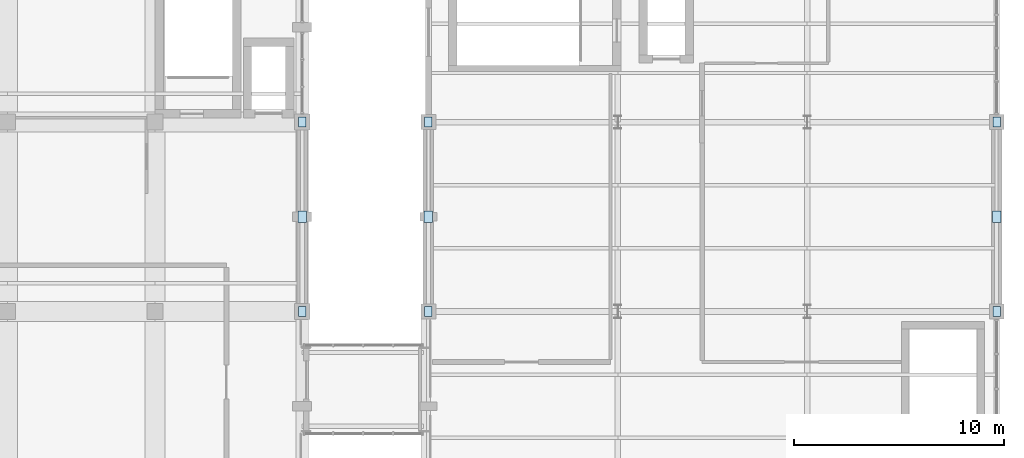
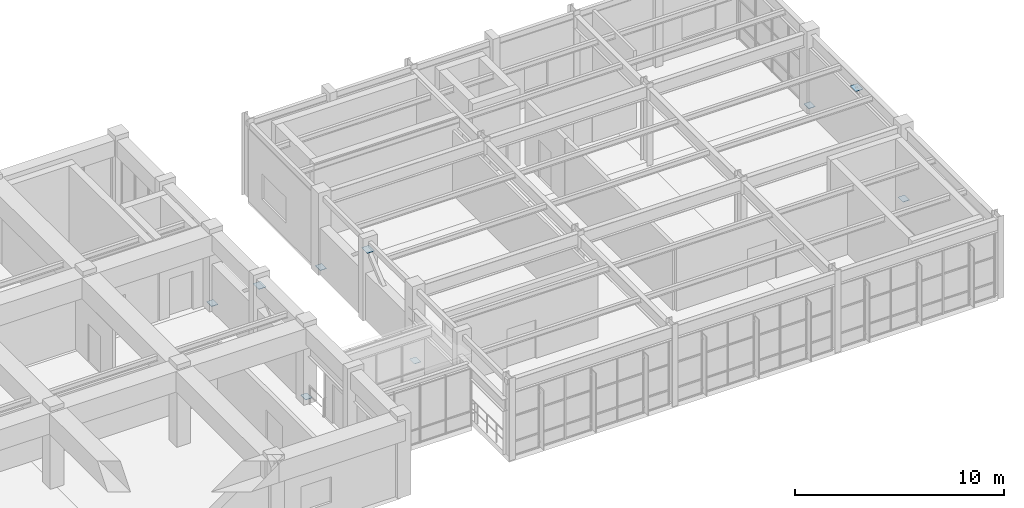
# One storey, part 80 of 99: 9 plates.
"""IFC4 building model written with IfcOpenShell, lengths in metres."""

from ifc_helpers import new_model, si_unit, direction, frame, origin, origin_2d, place, context, subcontext, project, spatial, rectangle, extrude, material, layer, layer_set, type_object, element, save


model = new_model("IFC4")

# Units and contexts
model_context = context("Model", 3, precision=1e-05, world=origin(), true_north=direction((0.0, 1.0)))
body_context = subcontext(model_context, "Body", "Model", "MODEL_VIEW")
ifc_project = project(units=[si_unit("LENGTHUNIT", "METRE"), si_unit("AREAUNIT", "SQUARE_METRE"), si_unit("VOLUMEUNIT", "CUBIC_METRE"), si_unit("PLANEANGLEUNIT", "RADIAN"), si_unit("MASSUNIT", "GRAM", prefix="KILO")], contexts=[model_context])

# Site, building, storey
site_placement = place(None, origin())
site = spatial("IfcSite", under=ifc_project, at=site_placement, CompositionType="ELEMENT")
building_placement = place(site_placement, origin())
building = spatial("IfcBuilding", under=site, at=building_placement, Name="Ventoquebrada Cableway Terminal", CompositionType="ELEMENT")
storey_placement = place(building_placement, frame((0.0, 0.0, 9.60009765625)))
storey = spatial("IfcBuildingStorey", under=building, at=storey_placement, Name="L02", CompositionType="ELEMENT", Elevation=9.60009765625)

# Plates
ifc_material = material(Name="Steel ASTM A572 Grade 50", Category="steel")
ifc_layer = layer(ifc_material, 0.02001953125)
ifc_layer_set = layer_set([ifc_layer], Name="Steel ASTM A572 Grade 50")
plate_type = type_object("IfcPlateType", Name="GP-PL01", PredefinedType="USERDEFINED", material=ifc_layer_set)
plate_1_placement = place(storey_placement, frame((129.0, 90.5, 3.919921875), z_axis=(0.0, 0.0, 1.0), x_axis=(0.0, 1.0, 0.0)))
element("IfcPlate", 1, at=plate_1_placement, inside=storey, type_object=plate_type, Name="Chevron brace apex gusset plate GP-048", ObjectType="GUSSET PLATE", PredefinedType="USERDEFINED", context=body_context, shape_type="SweptSolid", body=[
    extrude(rectangle(XDim=0.550048828125, YDim=0.39990234375, at=origin_2d()), origin(), (0.0, 0.0, 1.0), 0.02001953125),
])
for number, where, z_axis, x_axis, name in (
    (2, (129.0, 86.0, 0.159912109375), (0.0, 0.0, 1.0), (0.0, 1.0, 0.0), "Chevron brace base gusset plate GP-049"),
    (3, (129.0, 95.0, 0.159912109375), (0.0, 0.0, 1.0), (0.0, 1.0, 0.0), "Chevron brace base gusset plate GP-050"),
):
    element("IfcPlate", number, at=place(storey_placement, frame(where, z_axis=z_axis, x_axis=x_axis)), inside=storey, type_object=plate_type, Name=name, ObjectType="GUSSET PLATE", PredefinedType="USERDEFINED", context=body_context, shape_type="SweptSolid", body=[
        extrude(rectangle(XDim=0.47998046875, YDim=0.360107421875, at=origin_2d()), origin(), (0.0, 0.0, 1.0), 0.02001953125),
    ])
plate_2_placement = place(storey_placement, frame((156.0, 90.5, 3.919921875), z_axis=(0.0, 0.0, 1.0), x_axis=(0.0, 1.0, 0.0)))
element("IfcPlate", 4, at=plate_2_placement, inside=storey, type_object=plate_type, Name="Chevron brace apex gusset plate GP-054", ObjectType="GUSSET PLATE", PredefinedType="USERDEFINED", context=body_context, shape_type="SweptSolid", body=[
    extrude(rectangle(XDim=0.550048828125, YDim=0.39990234375, at=origin_2d()), origin(), (0.0, 0.0, 1.0), 0.02001953125),
])
for number, where, z_axis, x_axis, name in (
    (5, (156.0, 86.0, 0.159912109375), (0.0, 0.0, 1.0), (0.0, 1.0, 0.0), "Chevron brace base gusset plate GP-055"),
    (6, (156.0, 95.0, 0.159912109375), (0.0, 0.0, 1.0), (0.0, 1.0, 0.0), "Chevron brace base gusset plate GP-056"),
):
    element("IfcPlate", number, at=place(storey_placement, frame(where, z_axis=z_axis, x_axis=x_axis)), inside=storey, type_object=plate_type, Name=name, ObjectType="GUSSET PLATE", PredefinedType="USERDEFINED", context=body_context, shape_type="SweptSolid", body=[
        extrude(rectangle(XDim=0.47998046875, YDim=0.360107421875, at=origin_2d()), origin(), (0.0, 0.0, 1.0), 0.02001953125),
    ])
plate_3_placement = place(storey_placement, frame((123.0, 90.5, 3.919921875), z_axis=(0.0, 0.0, 1.0), x_axis=(0.0, 1.0, 0.0)))
element("IfcPlate", 7, at=plate_3_placement, inside=storey, type_object=plate_type, Name="Chevron brace apex gusset plate GP-066", ObjectType="GUSSET PLATE", PredefinedType="USERDEFINED", context=body_context, shape_type="SweptSolid", body=[
    extrude(rectangle(XDim=0.550048828125, YDim=0.39990234375, at=origin_2d()), origin(), (0.0, 0.0, 1.0), 0.02001953125),
])
for number, where, z_axis, x_axis, name in (
    (8, (123.0, 86.0, 0.159912109375), (0.0, 0.0, 1.0), (0.0, 1.0, 0.0), "Chevron brace base gusset plate GP-067"),
    (9, (123.0, 95.0, 0.159912109375), (0.0, 0.0, 1.0), (0.0, 1.0, 0.0), "Chevron brace base gusset plate GP-068"),
):
    element("IfcPlate", number, at=place(storey_placement, frame(where, z_axis=z_axis, x_axis=x_axis)), inside=storey, type_object=plate_type, Name=name, ObjectType="GUSSET PLATE", PredefinedType="USERDEFINED", context=body_context, shape_type="SweptSolid", body=[
        extrude(rectangle(XDim=0.47998046875, YDim=0.360107421875, at=origin_2d()), origin(), (0.0, 0.0, 1.0), 0.02001953125),
    ])

save(model, "model.ifc")
